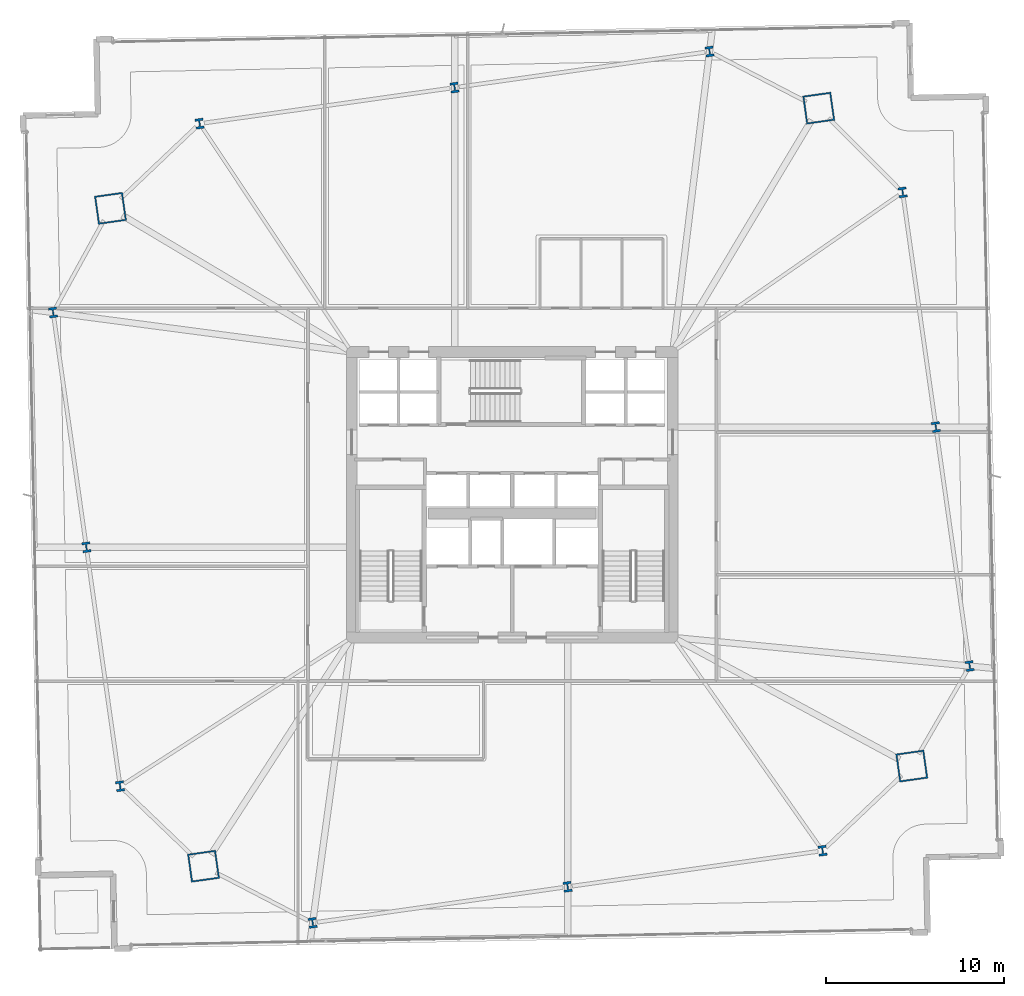
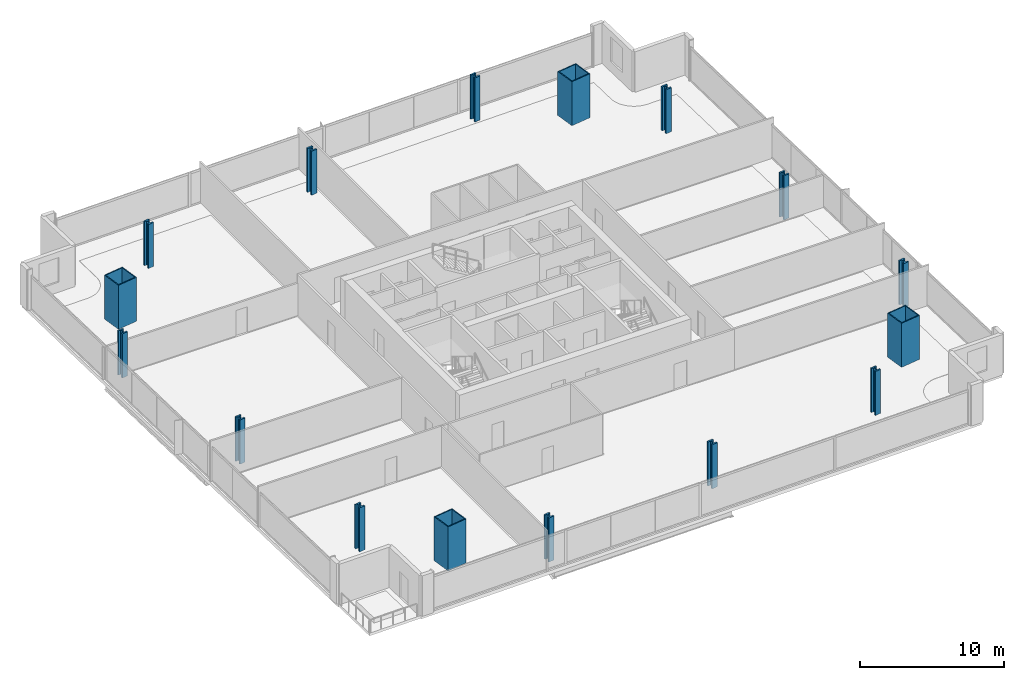
# One storey, part 1 of 35: 16 columns.
"""IFC4 building model written with IfcOpenShell, lengths in metres."""

from ifc_helpers import new_model, si_unit, direction, frame, origin, origin_2d, place, context, subcontext, project, spatial, hollow_rectangle, i_section, extrude, material, material_profile, profile_set, type_object, element, save


model = new_model("IFC4")

# Units and contexts
model_context = context("Model", 3, precision=1e-05, world=origin(), true_north=direction((0.0, 1.0)))
body_context = subcontext(model_context, "Body", "Model", "MODEL_VIEW")
ifc_project = project(units=[si_unit("LENGTHUNIT", "METRE"), si_unit("AREAUNIT", "SQUARE_METRE"), si_unit("VOLUMEUNIT", "CUBIC_METRE"), si_unit("PLANEANGLEUNIT", "RADIAN"), si_unit("MASSUNIT", "GRAM", prefix="KILO")], contexts=[model_context])

# Site, building, storey
site_placement = place(None, origin())
site = spatial("IfcSite", under=ifc_project, at=site_placement, CompositionType="ELEMENT")
building_placement = place(site_placement, origin())
building = spatial("IfcBuilding", under=site, at=building_placement, Name="Haldenkirk Collegiate Tower", CompositionType="ELEMENT")
storey_placement = place(building_placement, frame((0.0, 0.0, 32.699951171875)))
storey = spatial("IfcBuildingStorey", under=building, at=storey_placement, Name="L06", CompositionType="ELEMENT", Elevation=32.699951171875)

# Columns
ifc_material_1 = material(Name="Steel ASTM A913 Grade 65", Category="steel")
ifc_material_profile_1 = material_profile(ifc_material_1, i_section(OverallWidth=0.4541015625, OverallDepth=0.569091796875, WebThickness=0.077880859375, FlangeThickness=0.124755859375, at=origin_2d()), Name="W14X730")
ifc_profile_set_1 = profile_set([ifc_material_profile_1], Name="Steel ASTM A913 Grade 65")
column_type_1 = type_object("IfcColumnType", Name="COL-INT-W14X730", PredefinedType="COLUMN", material=ifc_profile_set_1)
for number, where, z_axis, x_axis, name in (
    (1, (24.815185546875, 1.997314453125, 0.0), (0.0, 0.0, 1.0), (0.990146240249, 0.140037219771, 0.0), "L06 perimeter gravity column PC-S1"),
    (2, (39.10888671875, 4.018798828125, 0.0), (0.0, 0.0, 1.0), (0.990146240249, 0.140037219771, 0.0), "L06 perimeter gravity column PC-S2"),
    (3, (53.402587890625, 6.040283203125, 0.0), (0.0, 0.0, 1.0), (0.990146240249, 0.140037219771, 0.0), "L06 perimeter gravity column PC-S3"),
    (4, (61.648193359375, 16.39306640625, 0.0), (0.0, 0.0, 1.0), (0.990146240249, 0.140037219771, 0.0), "L06 perimeter gravity column PC-E1"),
    (5, (59.75341796875, 29.788818359375, 0.0), (0.0, 0.0, 1.0), (0.990146240249, 0.140037219771, 0.0), "L06 perimeter gravity column PC-E2"),
    (6, (57.892333984375, 42.94873046875, 0.0), (0.0, 0.0, 1.0), (0.990146240249, 0.140037219771, 0.0), "L06 perimeter gravity column PC-E3"),
    (7, (47.06591796875, 50.844482421875, 0.0), (0.0, 0.0, 1.0), (0.990146240249, 0.140037219771, 0.0), "L06 perimeter gravity column PC-N1"),
    (8, (32.772216796875, 48.822998046875, 0.0), (0.0, 0.0, 1.0), (0.990146240249, 0.140037219771, 0.0), "L06 perimeter gravity column PC-N2"),
    (9, (18.478515625, 46.80126953125, 0.0), (0.0, 0.0, 1.0), (0.990146240249, 0.140037219771, 0.0), "L06 perimeter gravity column PC-N3"),
    (10, (10.26611328125, 36.212890625, 0.0), (0.0, 0.0, 1.0), (0.990146240249, 0.140037219771, 0.0), "L06 perimeter gravity column PC-W1"),
    (11, (12.12744140625, 23.052978515625, 0.0), (0.0, 0.0, 1.0), (0.990146240249, 0.140037219771, 0.0), "L06 perimeter gravity column PC-W2"),
    (12, (14.02197265625, 9.6572265625, 0.0), (0.0, 0.0, 1.0), (0.990146240249, 0.140037219771, 0.0), "L06 perimeter gravity column PC-W3"),
):
    element("IfcColumn", number, at=place(storey_placement, frame(where, z_axis=z_axis, x_axis=x_axis)), inside=storey, type_object=column_type_1, Name=name, PredefinedType="COLUMN", context=body_context, shape_type="SweptSolid", body=[
        extrude(i_section(OverallWidth=0.4541015625, OverallDepth=0.569091796875, WebThickness=0.077880859375, FlangeThickness=0.124755859375, at=origin_2d()), origin(), (0.0, 0.0, 1.0), 3.75),
    ])
ifc_material_2 = material(Name="Steel ASTM A572 Grade 50", Category="steel")
ifc_material_profile_2 = material_profile(ifc_material_2, hollow_rectangle(XDim=1.60009765625, YDim=1.60009765625, WallThickness=0.080078125, at=origin_2d()), Name="BOX1600X1600X80")
ifc_profile_set_2 = profile_set([ifc_material_profile_2], Name="Steel ASTM A572 Grade 50")
column_type_2 = type_object("IfcColumnType", Name="COL-MEGA-BOX1600X1600X80", PredefinedType="COLUMN", material=ifc_profile_set_2)
for number, where, z_axis, x_axis, name in (
    (13, (18.6962890625, 5.171630859375, 0.0), (0.0, 0.0, 1.0), (0.990146240249, 0.140037219771, 0.0), "L06 corner mega-column MC1"),
    (14, (58.401123046875, 10.787109375, 0.0), (0.0, 0.0, 1.0), (0.990146240249, 0.140037219771, 0.0), "L06 corner mega-column MC2"),
    (15, (53.184814453125, 47.669921875, 0.0), (0.0, 0.0, 1.0), (0.990146240249, 0.140037219771, 0.0), "L06 corner mega-column MC3"),
    (16, (13.47998046875, 42.054443359375, 0.0), (0.0, 0.0, 1.0), (0.990146240249, 0.140037219771, 0.0), "L06 corner mega-column MC4"),
):
    element("IfcColumn", number, at=place(storey_placement, frame(where, z_axis=z_axis, x_axis=x_axis)), inside=storey, type_object=column_type_2, Name=name, PredefinedType="COLUMN", context=body_context, shape_type="SweptSolid", body=[
        extrude(hollow_rectangle(XDim=1.60009765625, YDim=1.60009765625, WallThickness=0.080078125, at=origin_2d()), origin(), (0.0, 0.0, 1.0), 3.75),
    ])

save(model, "model.ifc")
